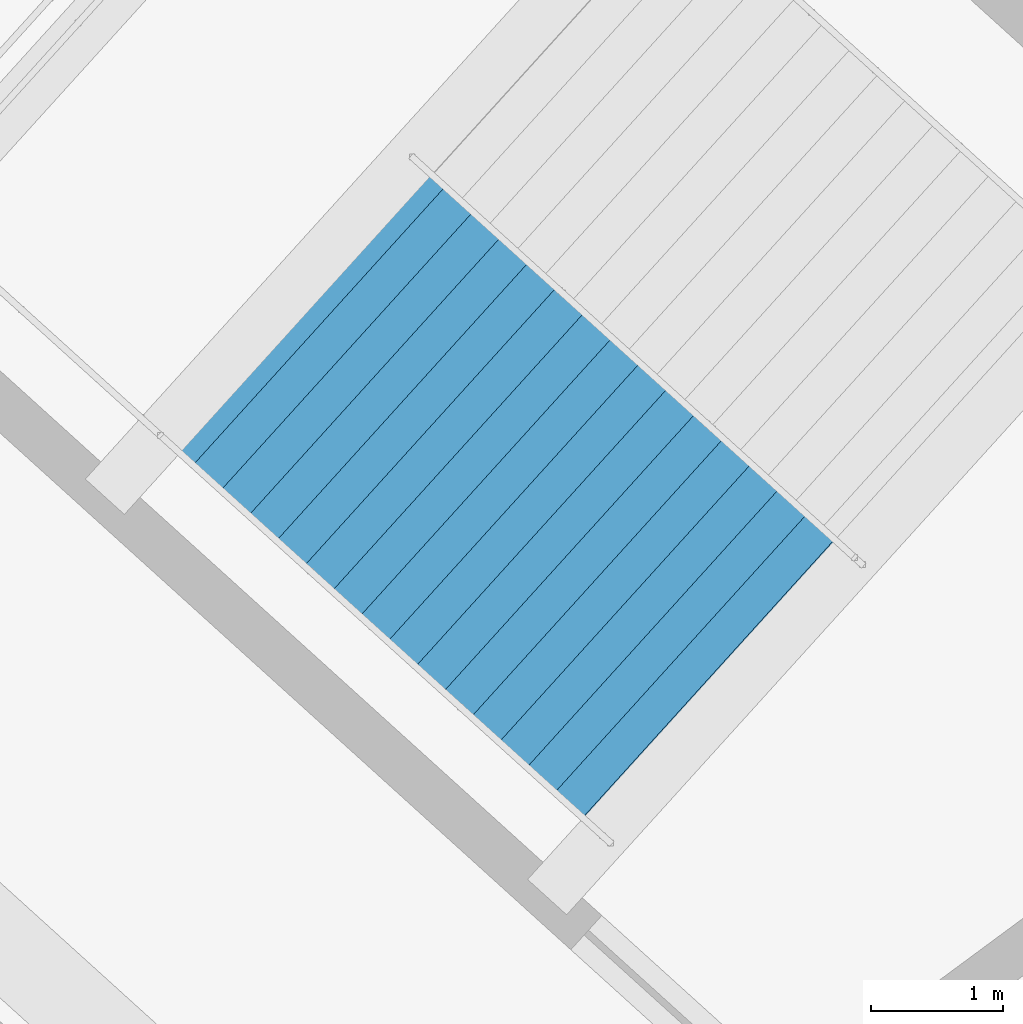
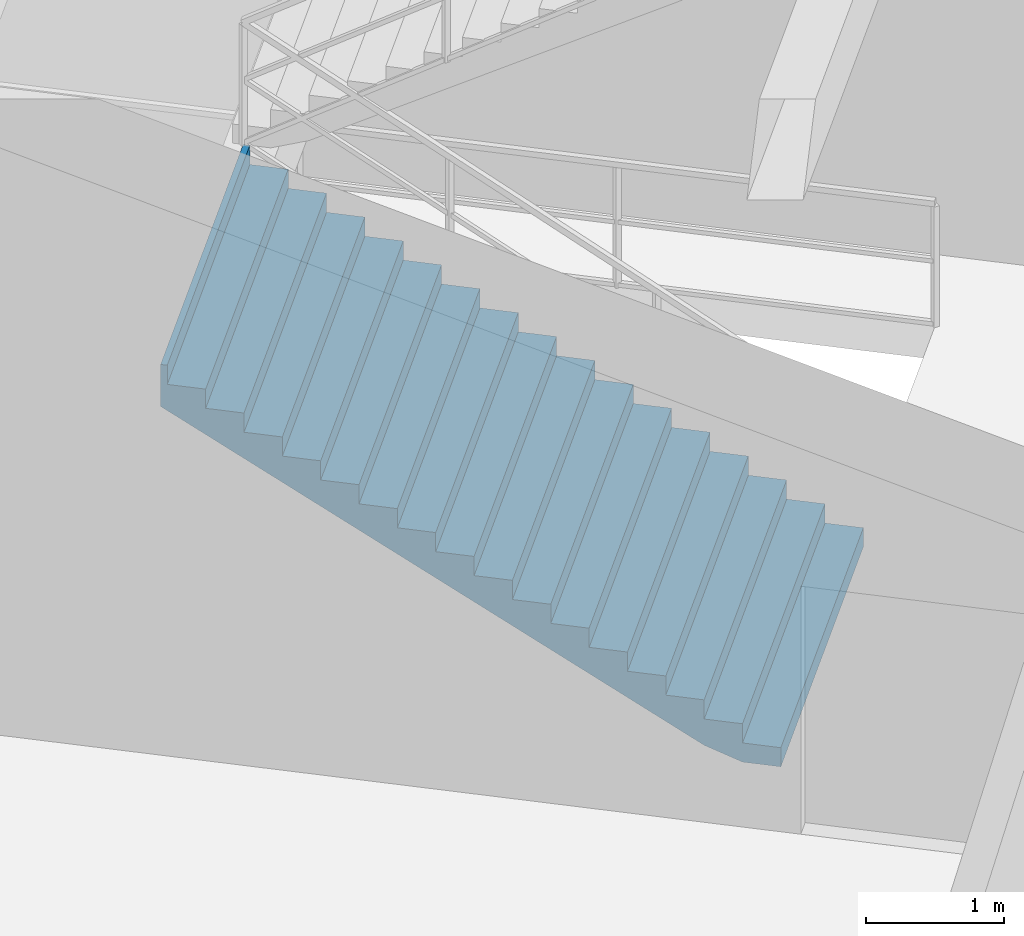
# One storey, part 39 of 48: 1 stair flight, 1 element without a shape of its own.
"""IFC4 building model written with IfcOpenShell, lengths in metres."""

import ifcopenshell
import ifcopenshell.guid

model = None  # the IFC model being written
_history = None  # IfcOwnerHistory: only IFC2X3 demands one
_inside = {}  # id of a spatial element -> (the spatial element, [elements in it])
_under = {}  # id of a project, library or spatial element -> (it, [spatial elements below it])
_declared = {}  # id of a project -> (the project, [libraries it declares])
_typed = {}  # id of a type object -> (the type object, [elements of that type])
_made_of = {}  # id of a material, layer set ... -> (it, [elements and type objects made of it])


def new_model(schema):
    """Start an empty IFC model of exactly this schema.

    Asked for "IFC4X3", IfcOpenShell would pick the latest addendum, in which some entities
    have other attributes; the version numbers below select the first issue.
    IFC2X3 requires an IfcOwnerHistory on every rooted entity: one is made here for all.
    """
    global model, _history
    if schema == "IFC4X3":
        model = ifcopenshell.file(schema_version=(4, 3, 0, 0))
    else:
        model = ifcopenshell.file(schema=schema)
    _inside.clear()
    _under.clear()
    _declared.clear()
    _typed.clear()
    _made_of.clear()
    _history = None
    if model.schema == "IFC2X3":
        org = make("IfcOrganization", Name="unknown")
        user = make(
            "IfcPersonAndOrganization",
            ThePerson=make("IfcPerson", FamilyName="unknown"),
            TheOrganization=org,
        )
        app = make(
            "IfcApplication",
            ApplicationDeveloper=org,
            Version="unknown",
            ApplicationFullName="unknown",
            ApplicationIdentifier="unknown",
        )
        _history = make(
            "IfcOwnerHistory",
            OwningUser=user,
            OwningApplication=app,
            ChangeAction="ADDED",
            CreationDate=0,
        )
    return model


def make(cls, **values):
    """One entity of the class cls with the attributes given. An attribute that is None is left unset."""
    return model.create_entity(
        cls, **{name: value for name, value in values.items() if value is not None}
    )


def rooted(cls, **values):
    """An entity with a GlobalId (a new one), such as an element, a storey or a relation."""
    return make(cls, GlobalId=ifcopenshell.guid.new(), OwnerHistory=_history, **values)


def si_unit(unit_type, name, prefix=None):
    """IfcSIUnit, for example si_unit("LENGTHUNIT", "METRE", prefix="MILLI")."""
    return make("IfcSIUnit", UnitType=unit_type, Prefix=prefix, Name=name)


def assignment(units):
    """IfcUnitAssignment: the units of a project."""
    return None if units is None else make("IfcUnitAssignment", Units=units)


def point(xyz):
    """IfcCartesianPoint."""
    return None if xyz is None else make("IfcCartesianPoint", Coordinates=xyz)


def direction(xyz):
    """IfcDirection."""
    return None if xyz is None else make("IfcDirection", DirectionRatios=xyz)


def frame(location, z_axis=None, x_axis=None):
    """IfcAxis2Placement3D, a coordinate frame: its origin and axes. An axis left out is left unset."""
    return make(
        "IfcAxis2Placement3D",
        Location=point(location),
        Axis=direction(z_axis),
        RefDirection=direction(x_axis),
    )


def origin():
    """The frame at (0, 0, 0) with its axes left unset."""
    return frame((0.0, 0.0, 0.0))


def place(relative_to, where):
    """IfcLocalPlacement: puts the frame where relative to a parent placement (None: the world)."""
    return make(
        "IfcLocalPlacement", PlacementRelTo=relative_to, RelativePlacement=where
    )


def context(
    kind, dimensions, precision=None, world=None, true_north=None, identifier=None
):
    """IfcGeometricRepresentationContext, for example the 3D "Model" context."""
    return make(
        "IfcGeometricRepresentationContext",
        ContextIdentifier=identifier,
        ContextType=kind,
        CoordinateSpaceDimension=dimensions,
        Precision=precision,
        WorldCoordinateSystem=world,
        TrueNorth=true_north,
    )


def subcontext(parent, identifier, kind, view, scale=None):
    """IfcGeometricRepresentationSubContext, for example "Body" below "Model"."""
    return make(
        "IfcGeometricRepresentationSubContext",
        ContextIdentifier=identifier,
        ContextType=kind,
        ParentContext=parent,
        TargetScale=scale,
        TargetView=view,
    )


def project(units=None, contexts=None):
    """IfcProject with its units and contexts."""
    return rooted(
        "IfcProject",
        Name="project",
        RepresentationContexts=contexts,
        UnitsInContext=assignment(units),
    )


def spatial(cls, under=None, at=None, **own):
    """A site, building, storey or space (cls), placed at a placement, below another one or the project."""
    s = rooted(cls, ObjectPlacement=at, **own)
    if under is not None:
        _under.setdefault(under.id(), (under, []))[1].append(s)
    return s


def point_list(points):
    """IfcCartesianPointList2D or 3D."""
    cls = (
        "IfcCartesianPointList2D" if len(points[0]) == 2 else "IfcCartesianPointList3D"
    )
    return make(cls, CoordList=points)


def polygons(points, faces, closed=None, point_numbers=None):
    """IfcPolygonalFaceSet: a face is its outer loop, then its inner loops; points numbered from 1."""
    made = []
    for loops in faces:
        if len(loops) == 1:
            made.append(make("IfcIndexedPolygonalFace", CoordIndex=loops[0]))
        else:
            made.append(
                make(
                    "IfcIndexedPolygonalFaceWithVoids",
                    CoordIndex=loops[0],
                    InnerCoordIndices=loops[1:],
                )
            )
    return make(
        "IfcPolygonalFaceSet",
        Coordinates=point_list(points),
        Closed=closed,
        Faces=made,
        PnIndex=point_numbers,
    )


def shape(context_of_items, identifier, shape_type, items):
    """IfcShapeRepresentation: the items that make up one representation, for example the "Body"."""
    return make(
        "IfcShapeRepresentation",
        ContextOfItems=context_of_items,
        RepresentationIdentifier=identifier,
        RepresentationType=shape_type,
        Items=items,
    )


def material(Name=None, Category=None):
    """IfcMaterial."""
    return make("IfcMaterial", Name=Name, Category=Category)


def made_of(thing, what):
    """Note that an element or type object is made of a material, layer set ...; save() writes the relation."""
    if what is not None:
        _made_of.setdefault(what.id(), (what, []))[1].append(thing)
    return thing


def type_object(cls, material=None, **own):
    """A type object (cls), such as IfcWallType, which elements share."""
    return made_of(rooted(cls, **own), material)


def element(
    cls,
    number,
    at=None,
    inside=None,
    cuts=None,
    type_object=None,
    material=None,
    context=None,
    identifier="Body",
    shape_type=None,
    held_by="IfcProductDefinitionShape",
    body=None,
    shapes=None,
    **own,
):
    """One element of the class cls, such as IfcWall. Its Tag is "e" and its number.

    at: its placement. inside: the storey or other place that contains it. cuts: it is an
    opening in that element (IfcRelVoidsElement). A single representation is given by context,
    identifier, shape_type and body (its items); several are given by shapes. held_by: the class
    of the entity that holds the representations. save() writes the other relations.
    """
    e = rooted(cls, Tag="e%d" % number, ObjectPlacement=at, **own)
    if body is not None:
        shapes = [shape(context, identifier, shape_type, body)]
    if shapes is not None:
        e.Representation = make(held_by, Representations=shapes)
    if inside is not None:
        _inside.setdefault(inside.id(), (inside, []))[1].append(e)
    if cuts is not None:
        rooted(
            "IfcRelVoidsElement", RelatingBuildingElement=cuts, RelatedOpeningElement=e
        )
    if type_object is not None:
        _typed.setdefault(type_object.id(), (type_object, []))[1].append(e)
    return made_of(e, material)


def aggregate(whole, parts):
    """IfcRelAggregates: a whole, such as a stair, and the parts it consists of."""
    return rooted("IfcRelAggregates", RelatingObject=whole, RelatedObjects=parts)


def save(model, path):
    """Write the relations noted so far, then the file.

    IfcRelAggregates (storeys below a building ...), IfcRelContainedInSpatialStructure (elements
    in a storey), IfcRelDefinesByType, IfcRelAssociatesMaterial and IfcRelDeclares: one each for
    every whole, place, type object, material and project.
    """
    for whole, parts in _under.values():
        aggregate(whole, parts)
    for where, things in _inside.values():
        rooted(
            "IfcRelContainedInSpatialStructure",
            RelatedElements=things,
            RelatingStructure=where,
        )
    for kind, things in _typed.values():
        rooted("IfcRelDefinesByType", RelatedObjects=things, RelatingType=kind)
    for what, things in _made_of.values():
        rooted("IfcRelAssociatesMaterial", RelatedObjects=things, RelatingMaterial=what)
    for by, libraries in _declared.values():
        rooted("IfcRelDeclares", RelatingContext=by, RelatedDefinitions=libraries)
    model.write(path)


model = new_model("IFC4")

# Units and contexts
model_context = context("Model", 3, precision=1e-05, world=origin(), true_north=direction((0.0, 1.0)))
body_context = subcontext(model_context, "Body", "Model", "MODEL_VIEW")
ifc_project = project(units=[si_unit("LENGTHUNIT", "METRE"), si_unit("AREAUNIT", "SQUARE_METRE"), si_unit("VOLUMEUNIT", "CUBIC_METRE"), si_unit("PLANEANGLEUNIT", "RADIAN"), si_unit("MASSUNIT", "GRAM", prefix="KILO")], contexts=[model_context])

# Site, building, storey
site_placement = place(None, origin())
site = spatial("IfcSite", under=ifc_project, at=site_placement, CompositionType="ELEMENT")
building_placement = place(site_placement, origin())
building = spatial("IfcBuilding", under=site, at=building_placement, Name="Kazemori Nagisa Stadium", CompositionType="ELEMENT")
storey_placement = place(building_placement, origin())
storey = spatial("IfcBuildingStorey", under=building, at=storey_placement, Name="L00", CompositionType="ELEMENT", Elevation=0.0)

# Stair, stair flight
ifc_material = material(Name="Concrete C36/45 (Fc36)", Category="concrete")
stair_type = type_object("IfcStairType", Name="Stair_CORE_34", PredefinedType="TWO_STRAIGHT_RUN_STAIR", material=ifc_material)
stair_placement = place(storey_placement, origin())
stair = element("IfcStair", 1, at=stair_placement, inside=storey, type_object=stair_type, Name="Exit stair ST01 L00", PredefinedType="TWO_STRAIGHT_RUN_STAIR")
stair_flight_type = type_object("IfcStairFlightType", Name="Flight_CORE_17", PredefinedType="STRAIGHT", material=ifc_material)
stair_flight_placement = place(storey_placement, frame((191.89208984375, 156.3369140625, 0.0), z_axis=(0.0, 0.0, 1.0), x_axis=(-0.741355642131, 0.671112369041, 0.0)))
stair_flight = element("IfcStairFlight", 2, at=stair_flight_placement, type_object=stair_flight_type, Name="Exit stair ST01 L00 flight 1", NumberOfRisers=17, NumberOfTreads=16, PredefinedType="STRAIGHT", RiserHeight=0.17, TreadLength=0.285, context=body_context, shape_type="Tessellation", body=[
    polygons([(0.0, -1.425048828125, 0.0), (0.0, -1.425048828125, 0.169921875), (0.284912109375, -1.425048828125, 0.169921875), (0.284912109375, -1.425048828125, 0.340087890625), (0.570068359375, -1.425048828125, 0.340087890625), (0.570068359375, -1.425048828125, 0.510009765625), (0.85498046875, -1.425048828125, 0.510009765625), (0.85498046875, -1.425048828125, 0.679931640625), (1.139892578125, -1.425048828125, 0.679931640625), (1.139892578125, -1.425048828125, 0.85009765625), (1.425048828125, -1.425048828125, 0.85009765625), (1.425048828125, -1.425048828125, 1.02001953125), (1.7099609375, -1.425048828125, 1.02001953125), (1.7099609375, -1.425048828125, 1.18994140625), (1.9951171875, -1.425048828125, 1.18994140625), (1.9951171875, -1.425048828125, 1.360107421875), (2.280029296875, -1.425048828125, 1.360107421875), (2.280029296875, -1.425048828125, 1.530029296875), (2.56494140625, -1.425048828125, 1.530029296875), (2.56494140625, -1.425048828125, 1.699951171875), (2.85009765625, -1.425048828125, 1.699951171875), (2.85009765625, -1.425048828125, 1.8701171875), (3.135009765625, -1.425048828125, 1.8701171875), (3.135009765625, -1.425048828125, 2.0400390625), (3.419921875, -1.425048828125, 2.0400390625), (3.419921875, -1.425048828125, 2.2099609375), (3.705078125, -1.425048828125, 2.2099609375), (3.705078125, -1.425048828125, 2.3798828125), (3.989990234375, -1.425048828125, 2.3798828125), (3.989990234375, -1.425048828125, 2.550048828125), (4.27490234375, -1.425048828125, 2.550048828125), (4.27490234375, -1.425048828125, 2.719970703125), (4.56005859375, -1.425048828125, 2.719970703125), (4.56005859375, -1.425048828125, 2.889892578125), (4.610107421875, -1.425048828125, 2.889892578125), (4.610107421875, -1.425048828125, 2.51708984375), (4.56005859375, -1.425048828125, 2.487060546875), (4.27490234375, -1.425048828125, 2.317138671875), (3.989990234375, -1.425048828125, 2.147216796875), (3.705078125, -1.425048828125, 1.977294921875), (3.419921875, -1.425048828125, 1.80712890625), (3.135009765625, -1.425048828125, 1.63720703125), (2.85009765625, -1.425048828125, 1.46728515625), (2.56494140625, -1.425048828125, 1.297119140625), (2.280029296875, -1.425048828125, 1.127197265625), (1.9951171875, -1.425048828125, 0.957275390625), (1.7099609375, -1.425048828125, 0.787109375), (1.425048828125, -1.425048828125, 0.6171875), (1.139892578125, -1.425048828125, 0.447265625), (0.85498046875, -1.425048828125, 0.277099609375), (0.570068359375, -1.425048828125, 0.107177734375), (0.284912109375, -1.425048828125, 0.0), (0.0, -0.08544921875, 0.0), (0.0, -0.08544921875, 0.169921875), (0.284912109375, -0.08544921875, 0.169921875), (0.284912109375, -0.08544921875, 0.340087890625), (0.570068359375, -0.08544921875, 0.340087890625), (0.570068359375, -0.08544921875, 0.510009765625), (0.85498046875, -0.08544921875, 0.510009765625), (0.85498046875, -0.08544921875, 0.679931640625), (1.139892578125, -0.08544921875, 0.679931640625), (1.139892578125, -0.08544921875, 0.85009765625), (1.425048828125, -0.08544921875, 0.85009765625), (1.425048828125, -0.08544921875, 1.02001953125), (1.7099609375, -0.08544921875, 1.02001953125), (1.7099609375, -0.08544921875, 1.18994140625), (1.9951171875, -0.08544921875, 1.18994140625), (1.9951171875, -0.08544921875, 1.360107421875), (2.280029296875, -0.08544921875, 1.360107421875), (2.280029296875, -0.08544921875, 1.530029296875), (2.56494140625, -0.08544921875, 1.530029296875), (2.56494140625, -0.08544921875, 1.699951171875), (2.85009765625, -0.08544921875, 1.699951171875), (2.85009765625, -0.08544921875, 1.8701171875), (3.135009765625, -0.08544921875, 1.8701171875), (3.135009765625, -0.08544921875, 2.0400390625), (3.419921875, -0.08544921875, 2.0400390625), (3.419921875, -0.08544921875, 2.2099609375), (3.705078125, -0.08544921875, 2.2099609375), (3.705078125, -0.08544921875, 2.3798828125), (3.989990234375, -0.08544921875, 2.3798828125), (3.989990234375, -0.08544921875, 2.550048828125), (4.27490234375, -0.08544921875, 2.550048828125), (4.27490234375, -0.08544921875, 2.719970703125), (4.56005859375, -0.08544921875, 2.719970703125), (4.56005859375, -0.08544921875, 2.889892578125), (4.610107421875, -0.08544921875, 2.889892578125), (4.610107421875, -0.08544921875, 2.51708984375), (4.56005859375, -0.08544921875, 2.487060546875), (4.27490234375, -0.08544921875, 2.317138671875), (3.989990234375, -0.08544921875, 2.147216796875), (3.705078125, -0.08544921875, 1.977294921875), (3.419921875, -0.08544921875, 1.80712890625), (3.135009765625, -0.08544921875, 1.63720703125), (2.85009765625, -0.08544921875, 1.46728515625), (2.56494140625, -0.08544921875, 1.297119140625), (2.280029296875, -0.08544921875, 1.127197265625), (1.9951171875, -0.08544921875, 0.957275390625), (1.7099609375, -0.08544921875, 0.787109375), (1.425048828125, -0.08544921875, 0.6171875), (1.139892578125, -0.08544921875, 0.447265625), (0.85498046875, -0.08544921875, 0.277099609375), (0.570068359375, -0.08544921875, 0.107177734375), (0.284912109375, -0.08544921875, 0.0), (0.0, 0.0, 0.0), (0.0, 0.0, 0.169921875), (0.284912109375, 0.0, 0.169921875), (0.284912109375, 0.0, 0.340087890625), (0.570068359375, 0.0, 0.340087890625), (0.570068359375, 0.0, 0.510009765625), (0.85498046875, 0.0, 0.510009765625), (0.85498046875, 0.0, 0.679931640625), (1.139892578125, 0.0, 0.679931640625), (1.139892578125, 0.0, 0.85009765625), (1.425048828125, 0.0, 0.85009765625), (1.425048828125, 0.0, 1.02001953125), (1.7099609375, 0.0, 1.02001953125), (1.7099609375, 0.0, 1.18994140625), (1.9951171875, 0.0, 1.18994140625), (1.9951171875, 0.0, 1.360107421875), (2.280029296875, 0.0, 1.360107421875), (2.280029296875, 0.0, 1.530029296875), (2.56494140625, 0.0, 1.530029296875), (2.56494140625, 0.0, 1.699951171875), (2.85009765625, 0.0, 1.699951171875), (2.85009765625, 0.0, 1.8701171875), (3.135009765625, 0.0, 1.8701171875), (3.135009765625, 0.0, 2.0400390625), (3.419921875, 0.0, 2.0400390625), (3.419921875, 0.0, 2.2099609375), (3.705078125, 0.0, 2.2099609375), (3.705078125, 0.0, 2.3798828125), (3.989990234375, 0.0, 2.3798828125), (3.989990234375, 0.0, 2.550048828125), (4.27490234375, 0.0, 2.550048828125), (4.27490234375, 0.0, 2.719970703125), (4.56005859375, 0.0, 2.719970703125), (4.56005859375, 0.0, 2.889892578125), (4.610107421875, 0.0, 2.889892578125), (4.610107421875, 0.0, 2.51708984375), (4.56005859375, 0.0, 2.487060546875), (4.27490234375, 0.0, 2.317138671875), (3.989990234375, 0.0, 2.147216796875), (3.705078125, 0.0, 1.977294921875), (3.419921875, 0.0, 1.80712890625), (3.135009765625, 0.0, 1.63720703125), (2.85009765625, 0.0, 1.46728515625), (2.56494140625, 0.0, 1.297119140625), (2.280029296875, 0.0, 1.127197265625), (1.9951171875, 0.0, 0.957275390625), (1.7099609375, 0.0, 0.787109375), (1.425048828125, 0.0, 0.6171875), (1.139892578125, 0.0, 0.447265625), (0.85498046875, 0.0, 0.277099609375), (0.570068359375, 0.0, 0.107177734375), (0.284912109375, 0.0, 0.0), (0.0, 0.08544921875, 0.0), (0.0, 0.08544921875, 0.169921875), (0.284912109375, 0.08544921875, 0.169921875), (0.284912109375, 0.08544921875, 0.340087890625), (0.570068359375, 0.08544921875, 0.340087890625), (0.570068359375, 0.08544921875, 0.510009765625), (0.85498046875, 0.08544921875, 0.510009765625), (0.85498046875, 0.08544921875, 0.679931640625), (1.139892578125, 0.08544921875, 0.679931640625), (1.139892578125, 0.08544921875, 0.85009765625), (1.425048828125, 0.08544921875, 0.85009765625), (1.425048828125, 0.08544921875, 1.02001953125), (1.7099609375, 0.08544921875, 1.02001953125), (1.7099609375, 0.08544921875, 1.18994140625), (1.9951171875, 0.08544921875, 1.18994140625), (1.9951171875, 0.08544921875, 1.360107421875), (2.280029296875, 0.08544921875, 1.360107421875), (2.280029296875, 0.08544921875, 1.530029296875), (2.56494140625, 0.08544921875, 1.530029296875), (2.56494140625, 0.08544921875, 1.699951171875), (2.85009765625, 0.08544921875, 1.699951171875), (2.85009765625, 0.08544921875, 1.8701171875), (3.135009765625, 0.08544921875, 1.8701171875), (3.135009765625, 0.08544921875, 2.0400390625), (3.419921875, 0.08544921875, 2.0400390625), (3.419921875, 0.08544921875, 2.2099609375), (3.705078125, 0.08544921875, 2.2099609375), (3.705078125, 0.08544921875, 2.3798828125), (3.989990234375, 0.08544921875, 2.3798828125), (3.989990234375, 0.08544921875, 2.550048828125), (4.27490234375, 0.08544921875, 2.550048828125), (4.27490234375, 0.08544921875, 2.719970703125), (4.56005859375, 0.08544921875, 2.719970703125), (4.56005859375, 0.08544921875, 2.889892578125), (4.610107421875, 0.08544921875, 2.889892578125), (4.610107421875, 0.08544921875, 2.51708984375), (4.56005859375, 0.08544921875, 2.487060546875), (4.27490234375, 0.08544921875, 2.317138671875), (3.989990234375, 0.08544921875, 2.147216796875), (3.705078125, 0.08544921875, 1.977294921875), (3.419921875, 0.08544921875, 1.80712890625), (3.135009765625, 0.08544921875, 1.63720703125), (2.85009765625, 0.08544921875, 1.46728515625), (2.56494140625, 0.08544921875, 1.297119140625), (2.280029296875, 0.08544921875, 1.127197265625), (1.9951171875, 0.08544921875, 0.957275390625), (1.7099609375, 0.08544921875, 0.787109375), (1.425048828125, 0.08544921875, 0.6171875), (1.139892578125, 0.08544921875, 0.447265625), (0.85498046875, 0.08544921875, 0.277099609375), (0.570068359375, 0.08544921875, 0.107177734375), (0.284912109375, 0.08544921875, 0.0), (0.0, 1.425048828125, 0.0), (0.0, 1.425048828125, 0.169921875), (0.284912109375, 1.425048828125, 0.169921875), (0.284912109375, 1.425048828125, 0.340087890625), (0.570068359375, 1.425048828125, 0.340087890625), (0.570068359375, 1.425048828125, 0.510009765625), (0.85498046875, 1.425048828125, 0.510009765625), (0.85498046875, 1.425048828125, 0.679931640625), (1.139892578125, 1.425048828125, 0.679931640625), (1.139892578125, 1.425048828125, 0.85009765625), (1.425048828125, 1.425048828125, 0.85009765625), (1.425048828125, 1.425048828125, 1.02001953125), (1.7099609375, 1.425048828125, 1.02001953125), (1.7099609375, 1.425048828125, 1.18994140625), (1.9951171875, 1.425048828125, 1.18994140625), (1.9951171875, 1.425048828125, 1.360107421875), (2.280029296875, 1.425048828125, 1.360107421875), (2.280029296875, 1.425048828125, 1.530029296875), (2.56494140625, 1.425048828125, 1.530029296875), (2.56494140625, 1.425048828125, 1.699951171875), (2.85009765625, 1.425048828125, 1.699951171875), (2.85009765625, 1.425048828125, 1.8701171875), (3.135009765625, 1.425048828125, 1.8701171875), (3.135009765625, 1.425048828125, 2.0400390625), (3.419921875, 1.425048828125, 2.0400390625), (3.419921875, 1.425048828125, 2.2099609375), (3.705078125, 1.425048828125, 2.2099609375), (3.705078125, 1.425048828125, 2.3798828125), (3.989990234375, 1.425048828125, 2.3798828125), (3.989990234375, 1.425048828125, 2.550048828125), (4.27490234375, 1.425048828125, 2.550048828125), (4.27490234375, 1.425048828125, 2.719970703125), (4.56005859375, 1.425048828125, 2.719970703125), (4.56005859375, 1.425048828125, 2.889892578125), (4.610107421875, 1.425048828125, 2.889892578125), (4.610107421875, 1.425048828125, 2.51708984375), (4.56005859375, 1.425048828125, 2.487060546875), (4.27490234375, 1.425048828125, 2.317138671875), (3.989990234375, 1.425048828125, 2.147216796875), (3.705078125, 1.425048828125, 1.977294921875), (3.419921875, 1.425048828125, 1.80712890625), (3.135009765625, 1.425048828125, 1.63720703125), (2.85009765625, 1.425048828125, 1.46728515625), (2.56494140625, 1.425048828125, 1.297119140625), (2.280029296875, 1.425048828125, 1.127197265625), (1.9951171875, 1.425048828125, 0.957275390625), (1.7099609375, 1.425048828125, 0.787109375), (1.425048828125, 1.425048828125, 0.6171875), (1.139892578125, 1.425048828125, 0.447265625), (0.85498046875, 1.425048828125, 0.277099609375), (0.570068359375, 1.425048828125, 0.107177734375), (0.284912109375, 1.425048828125, 0.0)], [[[1, 2, 54]], [[1, 54, 53]], [[2, 3, 55]], [[2, 55, 54]], [[3, 4, 56]], [[3, 56, 55]], [[4, 5, 57]], [[4, 57, 56]], [[5, 6, 58]], [[5, 58, 57]], [[6, 7, 59]], [[6, 59, 58]], [[7, 8, 60]], [[7, 60, 59]], [[8, 9, 61]], [[8, 61, 60]], [[9, 10, 62]], [[9, 62, 61]], [[10, 11, 63]], [[10, 63, 62]], [[11, 12, 64]], [[11, 64, 63]], [[12, 13, 65]], [[12, 65, 64]], [[13, 14, 66]], [[13, 66, 65]], [[14, 15, 67]], [[14, 67, 66]], [[15, 16, 68]], [[15, 68, 67]], [[16, 17, 69]], [[16, 69, 68]], [[17, 18, 70]], [[17, 70, 69]], [[18, 19, 71]], [[18, 71, 70]], [[19, 20, 72]], [[19, 72, 71]], [[20, 21, 73]], [[20, 73, 72]], [[21, 22, 74]], [[21, 74, 73]], [[22, 23, 75]], [[22, 75, 74]], [[23, 24, 76]], [[23, 76, 75]], [[24, 25, 77]], [[24, 77, 76]], [[25, 26, 78]], [[25, 78, 77]], [[26, 27, 79]], [[26, 79, 78]], [[27, 28, 80]], [[27, 80, 79]], [[28, 29, 81]], [[28, 81, 80]], [[29, 30, 82]], [[29, 82, 81]], [[30, 31, 83]], [[30, 83, 82]], [[31, 32, 84]], [[31, 84, 83]], [[32, 33, 85]], [[32, 85, 84]], [[33, 34, 86]], [[33, 86, 85]], [[34, 35, 87]], [[34, 87, 86]], [[35, 36, 88]], [[35, 88, 87]], [[36, 37, 89]], [[36, 89, 88]], [[37, 38, 90]], [[37, 90, 89]], [[38, 39, 91]], [[38, 91, 90]], [[39, 40, 92]], [[39, 92, 91]], [[40, 41, 93]], [[40, 93, 92]], [[41, 42, 94]], [[41, 94, 93]], [[42, 43, 95]], [[42, 95, 94]], [[43, 44, 96]], [[43, 96, 95]], [[44, 45, 97]], [[44, 97, 96]], [[45, 46, 98]], [[45, 98, 97]], [[46, 47, 99]], [[46, 99, 98]], [[47, 48, 100]], [[47, 100, 99]], [[48, 49, 101]], [[48, 101, 100]], [[49, 50, 102]], [[49, 102, 101]], [[50, 51, 103]], [[50, 103, 102]], [[51, 52, 104]], [[51, 104, 103]], [[52, 1, 53]], [[52, 53, 104]], [[53, 54, 106]], [[53, 106, 105]], [[54, 55, 107]], [[54, 107, 106]], [[55, 56, 108]], [[55, 108, 107]], [[56, 57, 109]], [[56, 109, 108]], [[57, 58, 110]], [[57, 110, 109]], [[58, 59, 111]], [[58, 111, 110]], [[59, 60, 112]], [[59, 112, 111]], [[60, 61, 113]], [[60, 113, 112]], [[61, 62, 114]], [[61, 114, 113]], [[62, 63, 115]], [[62, 115, 114]], [[63, 64, 116]], [[63, 116, 115]], [[64, 65, 117]], [[64, 117, 116]], [[65, 66, 118]], [[65, 118, 117]], [[66, 67, 119]], [[66, 119, 118]], [[67, 68, 120]], [[67, 120, 119]], [[68, 69, 121]], [[68, 121, 120]], [[69, 70, 122]], [[69, 122, 121]], [[70, 71, 123]], [[70, 123, 122]], [[71, 72, 124]], [[71, 124, 123]], [[72, 73, 125]], [[72, 125, 124]], [[73, 74, 126]], [[73, 126, 125]], [[74, 75, 127]], [[74, 127, 126]], [[75, 76, 128]], [[75, 128, 127]], [[76, 77, 129]], [[76, 129, 128]], [[77, 78, 130]], [[77, 130, 129]], [[78, 79, 131]], [[78, 131, 130]], [[79, 80, 132]], [[79, 132, 131]], [[80, 81, 133]], [[80, 133, 132]], [[81, 82, 134]], [[81, 134, 133]], [[82, 83, 135]], [[82, 135, 134]], [[83, 84, 136]], [[83, 136, 135]], [[84, 85, 137]], [[84, 137, 136]], [[85, 86, 138]], [[85, 138, 137]], [[86, 87, 139]], [[86, 139, 138]], [[87, 88, 140]], [[87, 140, 139]], [[88, 89, 141]], [[88, 141, 140]], [[89, 90, 142]], [[89, 142, 141]], [[90, 91, 143]], [[90, 143, 142]], [[91, 92, 144]], [[91, 144, 143]], [[92, 93, 145]], [[92, 145, 144]], [[93, 94, 146]], [[93, 146, 145]], [[94, 95, 147]], [[94, 147, 146]], [[95, 96, 148]], [[95, 148, 147]], [[96, 97, 149]], [[96, 149, 148]], [[97, 98, 150]], [[97, 150, 149]], [[98, 99, 151]], [[98, 151, 150]], [[99, 100, 152]], [[99, 152, 151]], [[100, 101, 153]], [[100, 153, 152]], [[101, 102, 154]], [[101, 154, 153]], [[102, 103, 155]], [[102, 155, 154]], [[103, 104, 156]], [[103, 156, 155]], [[104, 53, 105]], [[104, 105, 156]], [[105, 106, 158]], [[105, 158, 157]], [[106, 107, 159]], [[106, 159, 158]], [[107, 108, 160]], [[107, 160, 159]], [[108, 109, 161]], [[108, 161, 160]], [[109, 110, 162]], [[109, 162, 161]], [[110, 111, 163]], [[110, 163, 162]], [[111, 112, 164]], [[111, 164, 163]], [[112, 113, 165]], [[112, 165, 164]], [[113, 114, 166]], [[113, 166, 165]], [[114, 115, 167]], [[114, 167, 166]], [[115, 116, 168]], [[115, 168, 167]], [[116, 117, 169]], [[116, 169, 168]], [[117, 118, 170]], [[117, 170, 169]], [[118, 119, 171]], [[118, 171, 170]], [[119, 120, 172]], [[119, 172, 171]], [[120, 121, 173]], [[120, 173, 172]], [[121, 122, 174]], [[121, 174, 173]], [[122, 123, 175]], [[122, 175, 174]], [[123, 124, 176]], [[123, 176, 175]], [[124, 125, 177]], [[124, 177, 176]], [[125, 126, 178]], [[125, 178, 177]], [[126, 127, 179]], [[126, 179, 178]], [[127, 128, 180]], [[127, 180, 179]], [[128, 129, 181]], [[128, 181, 180]], [[129, 130, 182]], [[129, 182, 181]], [[130, 131, 183]], [[130, 183, 182]], [[131, 132, 184]], [[131, 184, 183]], [[132, 133, 185]], [[132, 185, 184]], [[133, 134, 186]], [[133, 186, 185]], [[134, 135, 187]], [[134, 187, 186]], [[135, 136, 188]], [[135, 188, 187]], [[136, 137, 189]], [[136, 189, 188]], [[137, 138, 190]], [[137, 190, 189]], [[138, 139, 191]], [[138, 191, 190]], [[139, 140, 192]], [[139, 192, 191]], [[140, 141, 193]], [[140, 193, 192]], [[141, 142, 194]], [[141, 194, 193]], [[142, 143, 195]], [[142, 195, 194]], [[143, 144, 196]], [[143, 196, 195]], [[144, 145, 197]], [[144, 197, 196]], [[145, 146, 198]], [[145, 198, 197]], [[146, 147, 199]], [[146, 199, 198]], [[147, 148, 200]], [[147, 200, 199]], [[148, 149, 201]], [[148, 201, 200]], [[149, 150, 202]], [[149, 202, 201]], [[150, 151, 203]], [[150, 203, 202]], [[151, 152, 204]], [[151, 204, 203]], [[152, 153, 205]], [[152, 205, 204]], [[153, 154, 206]], [[153, 206, 205]], [[154, 155, 207]], [[154, 207, 206]], [[155, 156, 208]], [[155, 208, 207]], [[156, 105, 157]], [[156, 157, 208]], [[157, 158, 210]], [[157, 210, 209]], [[158, 159, 211]], [[158, 211, 210]], [[159, 160, 212]], [[159, 212, 211]], [[160, 161, 213]], [[160, 213, 212]], [[161, 162, 214]], [[161, 214, 213]], [[162, 163, 215]], [[162, 215, 214]], [[163, 164, 216]], [[163, 216, 215]], [[164, 165, 217]], [[164, 217, 216]], [[165, 166, 218]], [[165, 218, 217]], [[166, 167, 219]], [[166, 219, 218]], [[167, 168, 220]], [[167, 220, 219]], [[168, 169, 221]], [[168, 221, 220]], [[169, 170, 222]], [[169, 222, 221]], [[170, 171, 223]], [[170, 223, 222]], [[171, 172, 224]], [[171, 224, 223]], [[172, 173, 225]], [[172, 225, 224]], [[173, 174, 226]], [[173, 226, 225]], [[174, 175, 227]], [[174, 227, 226]], [[175, 176, 228]], [[175, 228, 227]], [[176, 177, 229]], [[176, 229, 228]], [[177, 178, 230]], [[177, 230, 229]], [[178, 179, 231]], [[178, 231, 230]], [[179, 180, 232]], [[179, 232, 231]], [[180, 181, 233]], [[180, 233, 232]], [[181, 182, 234]], [[181, 234, 233]], [[182, 183, 235]], [[182, 235, 234]], [[183, 184, 236]], [[183, 236, 235]], [[184, 185, 237]], [[184, 237, 236]], [[185, 186, 238]], [[185, 238, 237]], [[186, 187, 239]], [[186, 239, 238]], [[187, 188, 240]], [[187, 240, 239]], [[188, 189, 241]], [[188, 241, 240]], [[189, 190, 242]], [[189, 242, 241]], [[190, 191, 243]], [[190, 243, 242]], [[191, 192, 244]], [[191, 244, 243]], [[192, 193, 245]], [[192, 245, 244]], [[193, 194, 246]], [[193, 246, 245]], [[194, 195, 247]], [[194, 247, 246]], [[195, 196, 248]], [[195, 248, 247]], [[196, 197, 249]], [[196, 249, 248]], [[197, 198, 250]], [[197, 250, 249]], [[198, 199, 251]], [[198, 251, 250]], [[199, 200, 252]], [[199, 252, 251]], [[200, 201, 253]], [[200, 253, 252]], [[201, 202, 254]], [[201, 254, 253]], [[202, 203, 255]], [[202, 255, 254]], [[203, 204, 256]], [[203, 256, 255]], [[204, 205, 257]], [[204, 257, 256]], [[205, 206, 258]], [[205, 258, 257]], [[206, 207, 259]], [[206, 259, 258]], [[207, 208, 260]], [[207, 260, 259]], [[208, 157, 209]], [[208, 209, 260]], [[3, 2, 1]], [[209, 210, 211]], [[52, 3, 1]], [[209, 211, 260]], [[51, 3, 52]], [[260, 211, 259]], [[5, 3, 51]], [[259, 211, 213]], [[5, 4, 3]], [[211, 212, 213]], [[50, 5, 51]], [[259, 213, 258]], [[7, 5, 50]], [[258, 213, 215]], [[7, 6, 5]], [[213, 214, 215]], [[49, 7, 50]], [[258, 215, 257]], [[9, 7, 49]], [[257, 215, 217]], [[9, 8, 7]], [[215, 216, 217]], [[48, 9, 49]], [[257, 217, 256]], [[11, 9, 48]], [[256, 217, 219]], [[11, 10, 9]], [[217, 218, 219]], [[47, 11, 48]], [[256, 219, 255]], [[13, 11, 47]], [[255, 219, 221]], [[13, 12, 11]], [[219, 220, 221]], [[46, 13, 47]], [[255, 221, 254]], [[15, 13, 46]], [[254, 221, 223]], [[15, 14, 13]], [[221, 222, 223]], [[45, 15, 46]], [[254, 223, 253]], [[17, 15, 45]], [[253, 223, 225]], [[17, 16, 15]], [[223, 224, 225]], [[44, 17, 45]], [[253, 225, 252]], [[19, 17, 44]], [[252, 225, 227]], [[19, 18, 17]], [[225, 226, 227]], [[43, 19, 44]], [[252, 227, 251]], [[21, 19, 43]], [[251, 227, 229]], [[21, 20, 19]], [[227, 228, 229]], [[42, 21, 43]], [[251, 229, 250]], [[23, 21, 42]], [[250, 229, 231]], [[23, 22, 21]], [[229, 230, 231]], [[41, 23, 42]], [[250, 231, 249]], [[25, 23, 41]], [[249, 231, 233]], [[25, 24, 23]], [[231, 232, 233]], [[40, 25, 41]], [[249, 233, 248]], [[27, 25, 40]], [[248, 233, 235]], [[27, 26, 25]], [[233, 234, 235]], [[39, 27, 40]], [[248, 235, 247]], [[29, 27, 39]], [[247, 235, 237]], [[29, 28, 27]], [[235, 236, 237]], [[38, 29, 39]], [[247, 237, 246]], [[31, 29, 38]], [[246, 237, 239]], [[31, 30, 29]], [[237, 238, 239]], [[37, 31, 38]], [[246, 239, 245]], [[33, 31, 37]], [[245, 239, 241]], [[33, 32, 31]], [[239, 240, 241]], [[36, 33, 37]], [[245, 241, 244]], [[35, 33, 36]], [[244, 241, 243]], [[35, 34, 33]], [[241, 242, 243]]], closed=True),
])
aggregate(stair, [stair_flight])

save(model, "model.ifc")
